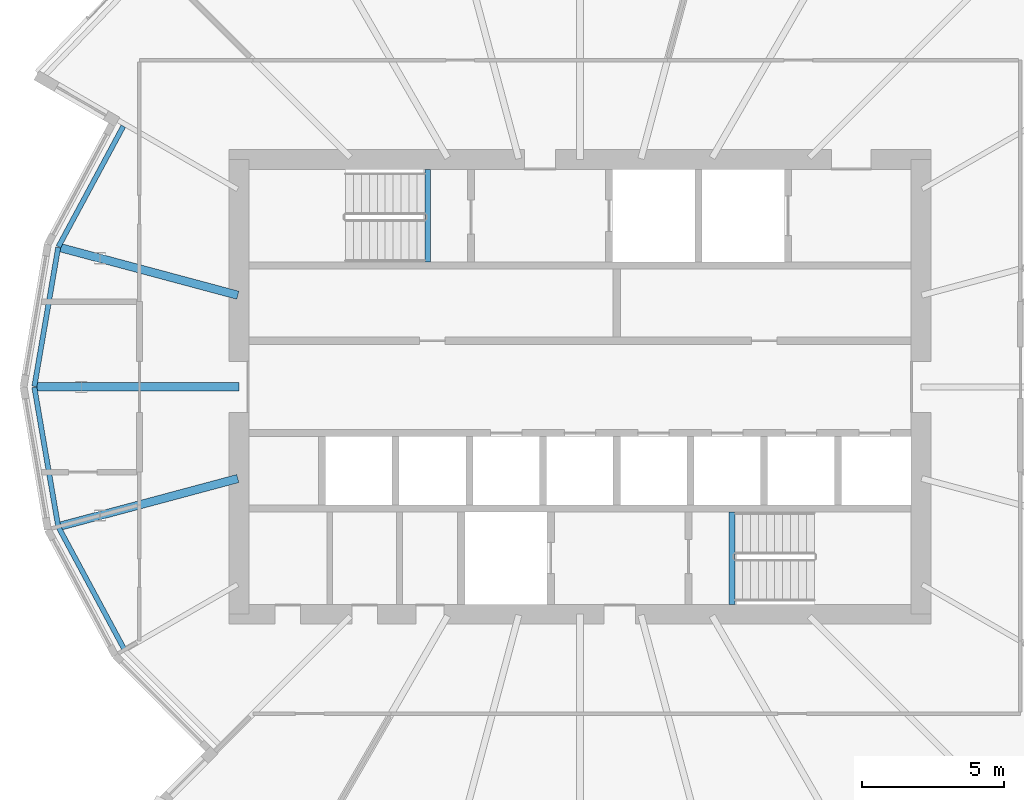
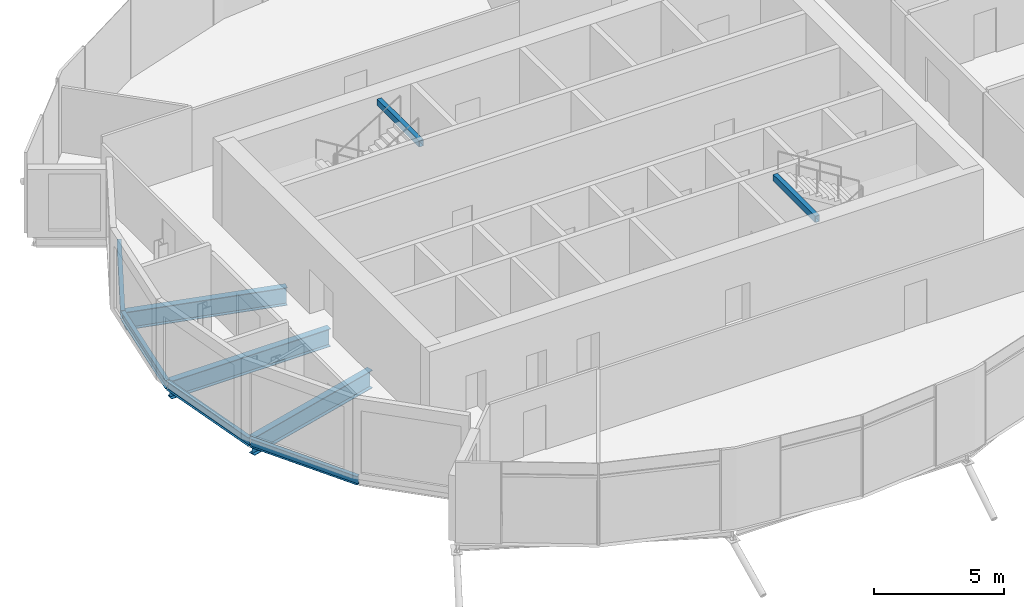
# One storey, part 5 of 40: 9 beams.
"""IFC4 building model written with IfcOpenShell, lengths in metres."""

from ifc_helpers import new_model, si_unit, direction, frame, origin, origin_2d, place, context, subcontext, project, spatial, hollow_rectangle, i_section, extrude, material, material_profile, profile_set, type_object, element, save


model = new_model("IFC4")

# Units and contexts
model_context = context("Model", 3, precision=1e-05, world=origin(), true_north=direction((0.0, 1.0)))
body_context = subcontext(model_context, "Body", "Model", "MODEL_VIEW")
ifc_project = project(units=[si_unit("LENGTHUNIT", "METRE"), si_unit("AREAUNIT", "SQUARE_METRE"), si_unit("VOLUMEUNIT", "CUBIC_METRE"), si_unit("PLANEANGLEUNIT", "RADIAN"), si_unit("MASSUNIT", "GRAM", prefix="KILO")], contexts=[model_context])

# Site, building, storey
site_placement = place(None, origin())
site = spatial("IfcSite", under=ifc_project, at=site_placement, CompositionType="ELEMENT")
building_placement = place(site_placement, origin())
building = spatial("IfcBuilding", under=site, at=building_placement, Name="Rimbun Link Towers", CompositionType="ELEMENT")
storey_placement = place(building_placement, frame((0.0, 0.0, 150.60009765625)))
storey = spatial("IfcBuildingStorey", under=building, at=storey_placement, Name="L36", CompositionType="ELEMENT", Elevation=150.60009765625)

# Beams
ifc_material_1 = material(Name="Steel S355J2", Category="steel")
ifc_material_profile_1 = material_profile(ifc_material_1, hollow_rectangle(XDim=0.199951171875, YDim=0.300048828125, WallThickness=0.011962890625, at=origin_2d()), Name="BOX 300x200x12")
ifc_profile_set_1 = profile_set([ifc_material_profile_1], Name="Steel S355J2")
beam_type_1 = type_object("IfcBeamType", Name="Stair trimmer beam BOX 300x200x12", PredefinedType="BEAM", material=ifc_profile_set_1)
for number, where, z_axis, x_axis, name in (
    (1, (-37.10009765625, 7.64990234375, 3.469970703125), (0.0, -1.0, 0.0), (1.0, 0.0, 0.0), "L36 ST1 stair beam 1"),
    (2, (-26.39990234375, -7.64990234375, 3.469970703125), (0.0, 1.0, 0.0), (-1.0, 0.0, 0.0), "L36 ST2 stair beam 1"),
):
    element("IfcBeam", number, at=place(storey_placement, frame(where, z_axis=z_axis, x_axis=x_axis)), inside=storey, type_object=beam_type_1, Name=name, PredefinedType="BEAM", context=body_context, shape_type="SweptSolid", body=[
        extrude(hollow_rectangle(XDim=0.199951171875, YDim=0.300048828125, WallThickness=0.011962890625, at=origin_2d()), origin(), (0.0, 0.0, 1.0), 3.25),
    ])
ifc_material_2 = material(Name="Steel S355J2", Category="steel")
ifc_material_profile_2 = material_profile(ifc_material_2, i_section(OverallWidth=0.177978515625, OverallDepth=0.406494140625, WebThickness=0.0078125, FlangeThickness=0.0126953125, at=origin_2d()), Name="UB 406x178x60")
ifc_profile_set_2 = profile_set([ifc_material_profile_2], Name="Steel S355J2")
beam_type_2 = type_object("IfcBeamType", Name="UB 406x178x60", PredefinedType="BEAM", material=ifc_profile_set_2)
beam_1_placement = place(storey_placement, frame((-47.81884765625, 9.17041015625, -0.38330078125), z_axis=(-0.474036297712, -0.880505302909, 0.0), x_axis=(0.880505302909, -0.474036297712, 0.0)))
element("IfcBeam", 3, at=beam_1_placement, inside=storey, type_object=beam_type_2, Name="Edge beam T1 L36 10 recess", PredefinedType="BEAM", context=body_context, shape_type="SweptSolid", body=[
    extrude(i_section(OverallWidth=0.177978515625, OverallDepth=0.406494140625, WebThickness=0.0078125, FlangeThickness=0.0126953125, at=origin_2d()), origin(), (0.0, 0.0, 1.0), 4.81298828125),
])
for number, where, z_axis, x_axis, name in (
    (4, (-50.1103515625, 4.903564453125, -0.38330078125), (-0.168780690541, -0.985653630085, 0.0), (0.985653630085, -0.168780690541, 0.0), "Edge beam T1 L36 11 recess"),
    (5, (-50.947265625, -0.01611328125, -0.38330078125), (0.168780690541, -0.985653630085, 0.0), (0.985653630085, 0.168780690541, 0.0), "Edge beam T1 L36 12 recess"),
):
    element("IfcBeam", number, at=place(storey_placement, frame(where, z_axis=z_axis, x_axis=x_axis)), inside=storey, type_object=beam_type_2, Name=name, PredefinedType="BEAM", context=body_context, shape_type="SweptSolid", body=[
        extrude(i_section(OverallWidth=0.177978515625, OverallDepth=0.406494140625, WebThickness=0.0078125, FlangeThickness=0.0126953125, at=origin_2d()), origin(), (0.0, 0.0, 1.0), 4.95849609375),
    ])
beam_2_placement = place(storey_placement, frame((-50.100341796875, -4.9326171875, -0.38330078125), z_axis=(0.474061129578, -0.880491933764, 0.0), x_axis=(0.880491933764, 0.474061129578, 0.0)))
element("IfcBeam", 6, at=beam_2_placement, inside=storey, type_object=beam_type_2, Name="Edge beam T1 L36 13 recess", PredefinedType="BEAM", context=body_context, shape_type="SweptSolid", body=[
    extrude(i_section(OverallWidth=0.177978515625, OverallDepth=0.406494140625, WebThickness=0.0078125, FlangeThickness=0.0126953125, at=origin_2d()), origin(), (0.0, 0.0, 1.0), 4.891357421875),
])
ifc_material_3 = material(Name="Steel S355J2", Category="steel")
ifc_material_profile_3 = material_profile(ifc_material_3, i_section(OverallWidth=0.29248046875, OverallDepth=0.8408203125, WebThickness=0.0126953125, FlangeThickness=0.021728515625, at=origin_2d()), Name="UB 838x292x194")
ifc_profile_set_3 = profile_set([ifc_material_profile_3], Name="Steel S355J2")
beam_type_3 = type_object("IfcBeamType", Name="UB 838x292x194", PredefinedType="BEAM", material=ifc_profile_set_3)
beam_3_placement = place(storey_placement, frame((-43.788818359375, 3.225830078125, -0.6005859375), z_axis=(-0.96592964011, 0.258804811311, 0.0), x_axis=(-0.258804811311, -0.96592964011, 0.0)))
element("IfcBeam", 7, at=beam_3_placement, inside=storey, type_object=beam_type_3, Name="Radial beam T1 L36 11", PredefinedType="BEAM", context=body_context, shape_type="SweptSolid", body=[
    extrude(i_section(OverallWidth=0.29248046875, OverallDepth=0.8408203125, WebThickness=0.0126953125, FlangeThickness=0.021728515625, at=origin_2d()), origin(), (0.0, 0.0, 1.0), 6.451416015625),
])
beam_4_placement = place(storey_placement, frame((-43.7509765625, 0.0, -0.6005859375), z_axis=(-1.0, 0.0, 0.0), x_axis=(0.0, -1.0, 0.0)))
element("IfcBeam", 8, at=beam_4_placement, inside=storey, type_object=beam_type_3, Name="Radial beam T1 L36 12", PredefinedType="BEAM", context=body_context, shape_type="SweptSolid", body=[
    extrude(i_section(OverallWidth=0.29248046875, OverallDepth=0.8408203125, WebThickness=0.0126953125, FlangeThickness=0.021728515625, at=origin_2d()), origin(), (0.0, 0.0, 1.0), 7.109130859375),
])
beam_5_placement = place(storey_placement, frame((-43.788818359375, -3.225830078125, -0.6005859375), z_axis=(-0.96592964011, -0.258804811311, 0.0), x_axis=(0.258804811311, -0.96592964011, 0.0)))
element("IfcBeam", 9, at=beam_5_placement, inside=storey, type_object=beam_type_3, Name="Radial beam T1 L36 13", PredefinedType="BEAM", context=body_context, shape_type="SweptSolid", body=[
    extrude(i_section(OverallWidth=0.29248046875, OverallDepth=0.8408203125, WebThickness=0.0126953125, FlangeThickness=0.021728515625, at=origin_2d()), origin(), (0.0, 0.0, 1.0), 6.451416015625),
])

save(model, "model.ifc")
